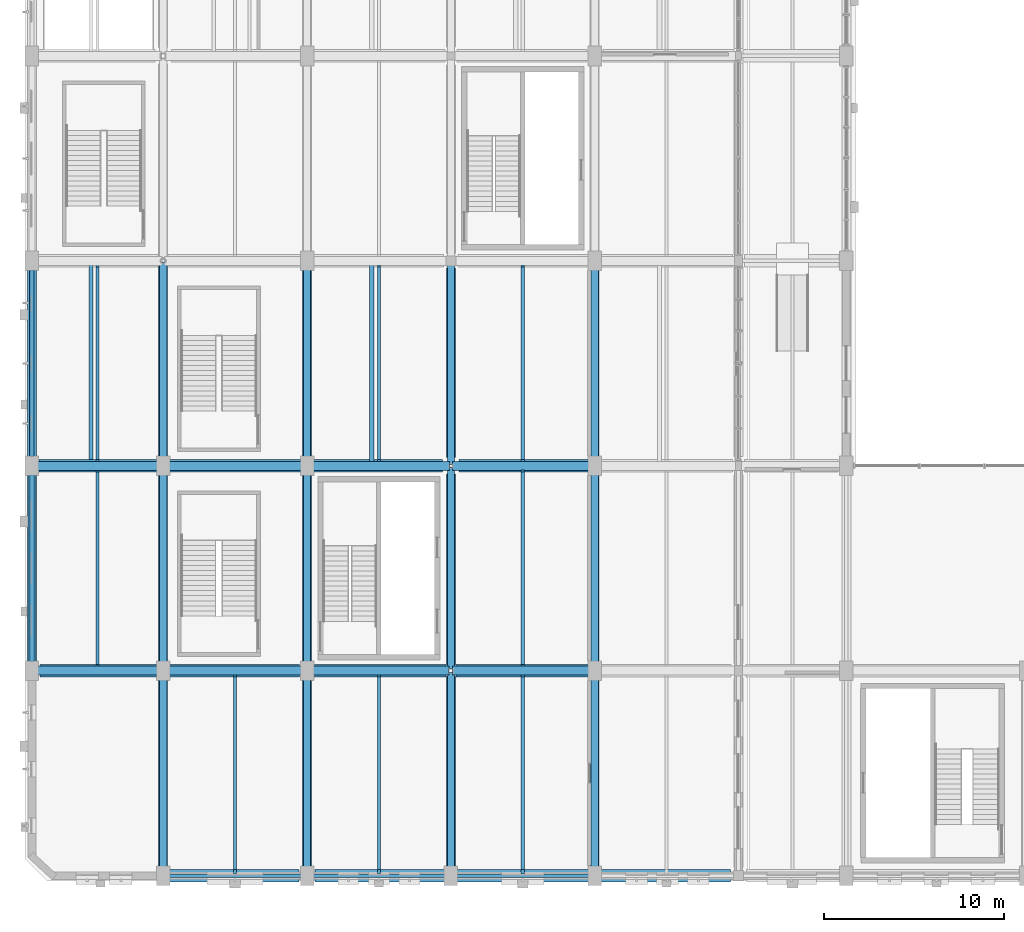
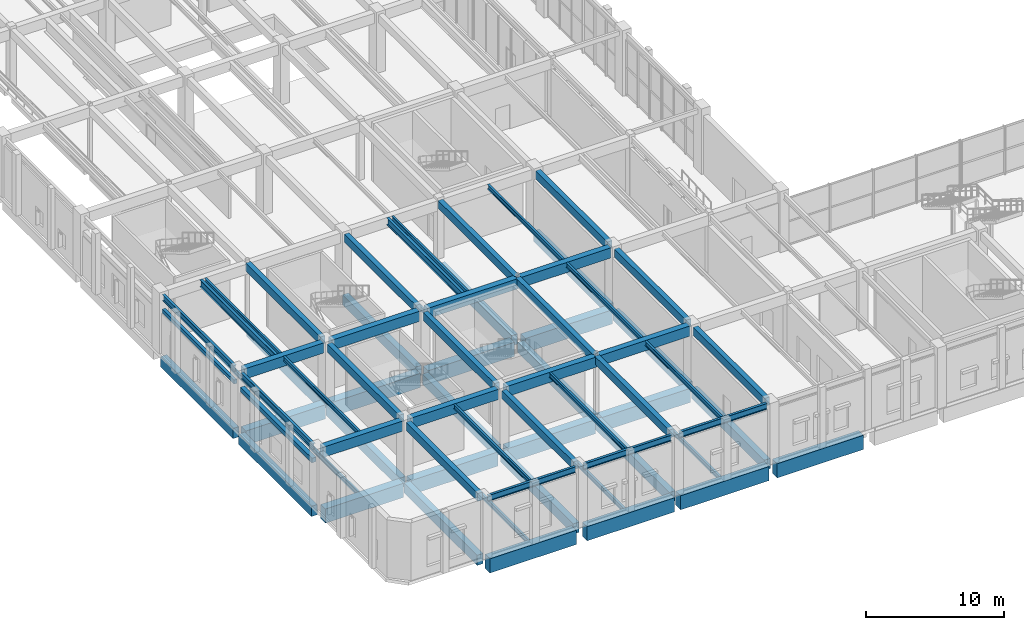
# One storey, part 23 of 113: 71 beams.
"""IFC4 building model written with IfcOpenShell, lengths in metres."""

from ifc_helpers import new_model, si_unit, direction, frame, origin, origin_2d, place, context, subcontext, project, spatial, rectangle, i_section, extrude, material, material_profile, profile_set, type_object, element, save


model = new_model("IFC4")

# Units and contexts
model_context = context("Model", 3, precision=1e-05, world=origin(), true_north=direction((0.0, 1.0)))
body_context = subcontext(model_context, "Body", "Model", "MODEL_VIEW")
ifc_project = project(units=[si_unit("LENGTHUNIT", "METRE"), si_unit("AREAUNIT", "SQUARE_METRE"), si_unit("VOLUMEUNIT", "CUBIC_METRE"), si_unit("PLANEANGLEUNIT", "RADIAN"), si_unit("MASSUNIT", "GRAM", prefix="KILO"), si_unit("POWERUNIT", "WATT"), si_unit("THERMODYNAMICTEMPERATUREUNIT", "KELVIN")], contexts=[model_context])

# Site, building, storey
site_placement = place(None, origin())
site = spatial("IfcSite", under=ifc_project, at=site_placement, CompositionType="ELEMENT")
building_placement = place(site_placement, origin())
building = spatial("IfcBuilding", under=site, at=building_placement, Name="Kelmbourne Parkland Aquatics Centre", CompositionType="ELEMENT")
storey_placement = place(building_placement, origin())
storey = spatial("IfcBuildingStorey", under=building, at=storey_placement, Name="L00", CompositionType="ELEMENT", Elevation=0.0)

# Beams
ifc_material_1 = material(Name="Concrete C40/50", Category="concrete")
ifc_material_profile_1 = material_profile(ifc_material_1, rectangle(XDim=0.5, YDim=0.89990234375, at=origin_2d()), Name="RC 500x900")
ifc_profile_set_1 = profile_set([ifc_material_profile_1], Name="Concrete C40/50")
beam_type_1 = type_object("IfcBeamType", Name="BM-G03", PredefinedType="BEAM", material=ifc_profile_set_1)
beam_1_placement = place(storey_placement, frame((0.699951171875, 12.655029296875, -0.72998046875), z_axis=(0.0, 1.0, 0.0), x_axis=(-1.0, 0.0, 0.0)))
element("IfcBeam", 1, at=beam_1_placement, inside=storey, type_object=beam_type_1, Name="Primary girder 03-04 Grid A (L00)", PredefinedType="BEAM", context=body_context, shape_type="SweptSolid", body=[
    extrude(rectangle(XDim=0.5, YDim=0.89990234375, at=origin_2d()), origin(), (0.0, 0.0, 1.0), 10.5400390625),
])
beam_2_placement = place(storey_placement, frame((0.699951171875, 24.0048828125, -0.72998046875), z_axis=(0.0, 1.0, 0.0), x_axis=(-1.0, 0.0, 0.0)))
element("IfcBeam", 2, at=beam_2_placement, inside=storey, type_object=beam_type_1, Name="Primary girder 04-05 Grid A (L00)", PredefinedType="BEAM", context=body_context, shape_type="SweptSolid", body=[
    extrude(rectangle(XDim=0.5, YDim=0.89990234375, at=origin_2d()), origin(), (0.0, 0.0, 1.0), 10.490234375),
])
beam_3_placement = place(storey_placement, frame((8.0, 1.304931640625, -0.72998046875), z_axis=(0.0, 1.0, 0.0), x_axis=(-1.0, 0.0, 0.0)))
element("IfcBeam", 3, at=beam_3_placement, inside=storey, type_object=beam_type_1, Name="Primary girder 01-03 Grid B (L00)", PredefinedType="BEAM", context=body_context, shape_type="SweptSolid", body=[
    extrude(rectangle(XDim=0.5, YDim=0.89990234375, at=origin_2d()), origin(), (0.0, 0.0, 1.0), 10.565185546875),
])
beam_4_placement = place(storey_placement, frame((8.0, 12.530029296875, -0.72998046875), z_axis=(0.0, 1.0, 0.0), x_axis=(-1.0, 0.0, 0.0)))
element("IfcBeam", 4, at=beam_4_placement, inside=storey, type_object=beam_type_1, Name="Primary girder 03-04 Grid B (L00)", PredefinedType="BEAM", context=body_context, shape_type="SweptSolid", body=[
    extrude(rectangle(XDim=0.5, YDim=0.89990234375, at=origin_2d()), origin(), (0.0, 0.0, 1.0), 10.6650390625),
])
beam_5_placement = place(storey_placement, frame((8.0, 24.0048828125, -0.72998046875), z_axis=(0.0, 1.0, 0.0), x_axis=(-1.0, 0.0, 0.0)))
element("IfcBeam", 5, at=beam_5_placement, inside=storey, type_object=beam_type_1, Name="Primary girder 04-05 Grid B (L00)", PredefinedType="BEAM", context=body_context, shape_type="SweptSolid", body=[
    extrude(rectangle(XDim=0.5, YDim=0.89990234375, at=origin_2d()), origin(), (0.0, 0.0, 1.0), 10.715087890625),
])
beam_6_placement = place(storey_placement, frame((16.0, 1.2548828125, -0.72998046875), z_axis=(0.0, 1.0, 0.0), x_axis=(-1.0, 0.0, 0.0)))
element("IfcBeam", 6, at=beam_6_placement, inside=storey, type_object=beam_type_1, Name="Primary girder 01-03 Grid C (L00)", PredefinedType="BEAM", context=body_context, shape_type="SweptSolid", body=[
    extrude(rectangle(XDim=0.5, YDim=0.89990234375, at=origin_2d()), origin(), (0.0, 0.0, 1.0), 10.5400390625),
])
beam_7_placement = place(storey_placement, frame((16.0, 12.60498046875, -0.72998046875), z_axis=(0.0, 1.0, 0.0), x_axis=(-1.0, 0.0, 0.0)))
element("IfcBeam", 7, at=beam_7_placement, inside=storey, type_object=beam_type_1, Name="Primary girder 03-04 Grid C (L00)", PredefinedType="BEAM", context=body_context, shape_type="SweptSolid", body=[
    extrude(rectangle(XDim=0.5, YDim=0.89990234375, at=origin_2d()), origin(), (0.0, 0.0, 1.0), 10.489990234375),
])
beam_8_placement = place(storey_placement, frame((16.0, 24.10498046875, -0.72998046875), z_axis=(0.0, 1.0, 0.0), x_axis=(-1.0, 0.0, 0.0)))
element("IfcBeam", 8, at=beam_8_placement, inside=storey, type_object=beam_type_1, Name="Primary girder 04-05 Grid C (L00)", PredefinedType="BEAM", context=body_context, shape_type="SweptSolid", body=[
    extrude(rectangle(XDim=0.5, YDim=0.89990234375, at=origin_2d()), origin(), (0.0, 0.0, 1.0), 10.56494140625),
])
beam_9_placement = place(storey_placement, frame((24.0, 1.205078125, -0.72998046875), z_axis=(0.0, 1.0, 0.0), x_axis=(-1.0, 0.0, 0.0)))
element("IfcBeam", 9, at=beam_9_placement, inside=storey, type_object=beam_type_1, Name="Primary girder 01-03 Grid D (L00)", PredefinedType="BEAM", context=body_context, shape_type="SweptSolid", body=[
    extrude(rectangle(XDim=0.5, YDim=0.89990234375, at=origin_2d()), origin(), (0.0, 0.0, 1.0), 10.71484375),
])
beam_10_placement = place(storey_placement, frame((24.0, 12.47998046875, -0.72998046875), z_axis=(0.0, 1.0, 0.0), x_axis=(-1.0, 0.0, 0.0)))
element("IfcBeam", 10, at=beam_10_placement, inside=storey, type_object=beam_type_1, Name="Primary girder 03-04 Grid D (L00)", PredefinedType="BEAM", context=body_context, shape_type="SweptSolid", body=[
    extrude(rectangle(XDim=0.5, YDim=0.89990234375, at=origin_2d()), origin(), (0.0, 0.0, 1.0), 10.6650390625),
])
beam_11_placement = place(storey_placement, frame((24.0, 24.054931640625, -0.72998046875), z_axis=(0.0, 1.0, 0.0), x_axis=(-1.0, 0.0, 0.0)))
element("IfcBeam", 11, at=beam_11_placement, inside=storey, type_object=beam_type_1, Name="Primary girder 04-05 Grid D (L00)", PredefinedType="BEAM", context=body_context, shape_type="SweptSolid", body=[
    extrude(rectangle(XDim=0.5, YDim=0.89990234375, at=origin_2d()), origin(), (0.0, 0.0, 1.0), 10.5400390625),
])
beam_12_placement = place(storey_placement, frame((32.0, 1.304931640625, -0.72998046875), z_axis=(0.0, 1.0, 0.0), x_axis=(-1.0, 0.0, 0.0)))
element("IfcBeam", 12, at=beam_12_placement, inside=storey, type_object=beam_type_1, Name="Primary girder 01-03 Grid E (L00)", PredefinedType="BEAM", context=body_context, shape_type="SweptSolid", body=[
    extrude(rectangle(XDim=0.5, YDim=0.89990234375, at=origin_2d()), origin(), (0.0, 0.0, 1.0), 10.565185546875),
])
beam_13_placement = place(storey_placement, frame((32.0, 12.530029296875, -0.72998046875), z_axis=(0.0, 1.0, 0.0), x_axis=(-1.0, 0.0, 0.0)))
element("IfcBeam", 13, at=beam_13_placement, inside=storey, type_object=beam_type_1, Name="Primary girder 03-04 Grid E (L00)", PredefinedType="BEAM", context=body_context, shape_type="SweptSolid", body=[
    extrude(rectangle(XDim=0.5, YDim=0.89990234375, at=origin_2d()), origin(), (0.0, 0.0, 1.0), 10.6650390625),
])
beam_14_placement = place(storey_placement, frame((32.0, 24.0048828125, -0.72998046875), z_axis=(0.0, 1.0, 0.0), x_axis=(-1.0, 0.0, 0.0)))
element("IfcBeam", 14, at=beam_14_placement, inside=storey, type_object=beam_type_1, Name="Primary girder 04-05 Grid E (L00)", PredefinedType="BEAM", context=body_context, shape_type="SweptSolid", body=[
    extrude(rectangle(XDim=0.5, YDim=0.89990234375, at=origin_2d()), origin(), (0.0, 0.0, 1.0), 10.715087890625),
])
beam_15_placement = place(storey_placement, frame((1.030029296875, 12.199951171875, 4.7099609375), z_axis=(1.0, 0.0, 0.0), x_axis=(0.0, 1.0, 0.0)))
element("IfcBeam", 15, at=beam_15_placement, inside=storey, type_object=beam_type_1, Name="Primary girder A-B Grid 03 (L01)", PredefinedType="BEAM", context=body_context, shape_type="SweptSolid", body=[
    extrude(rectangle(XDim=0.5, YDim=0.89990234375, at=origin_2d()), origin(), (0.0, 0.0, 1.0), 6.639892578125),
])
beam_16_placement = place(storey_placement, frame((8.330078125, 12.199951171875, 4.7099609375), z_axis=(1.0, 0.0, 0.0), x_axis=(0.0, 1.0, 0.0)))
element("IfcBeam", 16, at=beam_16_placement, inside=storey, type_object=beam_type_1, Name="Primary girder B-C Grid 03 (L01)", PredefinedType="BEAM", context=body_context, shape_type="SweptSolid", body=[
    extrude(rectangle(XDim=0.5, YDim=0.89990234375, at=origin_2d()), origin(), (0.0, 0.0, 1.0), 7.33984375),
])
for number, where, z_axis, x_axis, name in (
    (17, (16.330078125, 12.199951171875, 4.7099609375), (1.0, 0.0, 0.0), (0.0, 1.0, 0.0), "Primary girder C-D Grid 03 (L01)"),
    (18, (24.10498046875, 12.199951171875, 4.7099609375), (1.0, 0.0, 0.0), (0.0, 1.0, 0.0), "Primary girder D-E Grid 03 (L01)"),
):
    element("IfcBeam", number, at=place(storey_placement, frame(where, z_axis=z_axis, x_axis=x_axis)), inside=storey, type_object=beam_type_1, Name=name, PredefinedType="BEAM", context=body_context, shape_type="SweptSolid", body=[
        extrude(rectangle(XDim=0.5, YDim=0.89990234375, at=origin_2d()), origin(), (0.0, 0.0, 1.0), 7.56494140625),
    ])
beam_17_placement = place(storey_placement, frame((1.030029296875, 23.60009765625, 4.7099609375), z_axis=(1.0, 0.0, 0.0), x_axis=(0.0, 1.0, 0.0)))
element("IfcBeam", 19, at=beam_17_placement, inside=storey, type_object=beam_type_1, Name="Primary girder A-B Grid 04 (L01)", PredefinedType="BEAM", context=body_context, shape_type="SweptSolid", body=[
    extrude(rectangle(XDim=0.5, YDim=0.89990234375, at=origin_2d()), origin(), (0.0, 0.0, 1.0), 6.639892578125),
])
beam_18_placement = place(storey_placement, frame((8.330078125, 23.60009765625, 4.7099609375), z_axis=(1.0, 0.0, 0.0), x_axis=(0.0, 1.0, 0.0)))
element("IfcBeam", 20, at=beam_18_placement, inside=storey, type_object=beam_type_1, Name="Primary girder B-C Grid 04 (L01)", PredefinedType="BEAM", context=body_context, shape_type="SweptSolid", body=[
    extrude(rectangle(XDim=0.5, YDim=0.89990234375, at=origin_2d()), origin(), (0.0, 0.0, 1.0), 7.33984375),
])
for number, where, z_axis, x_axis, name in (
    (21, (16.330078125, 23.60009765625, 4.7099609375), (1.0, 0.0, 0.0), (0.0, 1.0, 0.0), "Primary girder C-D Grid 04 (L01)"),
    (22, (24.080078125, 23.60009765625, 4.7099609375), (1.0, 0.0, 0.0), (0.0, 1.0, 0.0), "Primary girder D-E Grid 04 (L01)"),
):
    element("IfcBeam", number, at=place(storey_placement, frame(where, z_axis=z_axis, x_axis=x_axis)), inside=storey, type_object=beam_type_1, Name=name, PredefinedType="BEAM", context=body_context, shape_type="SweptSolid", body=[
        extrude(rectangle(XDim=0.5, YDim=0.89990234375, at=origin_2d()), origin(), (0.0, 0.0, 1.0), 7.58984375),
    ])
ifc_material_profile_2 = material_profile(ifc_material_1, rectangle(XDim=0.39990234375, YDim=0.699951171875, at=origin_2d()), Name="RC 400x700")
ifc_profile_set_2 = profile_set([ifc_material_profile_2], Name="Concrete C40/50")
beam_type_2 = type_object("IfcBeamType", Name="BM-G05", PredefinedType="BEAM", material=ifc_profile_set_2)
beam_19_placement = place(storey_placement, frame((8.0, 1.304931640625, 4.81005859375), z_axis=(0.0, 1.0, 0.0), x_axis=(-1.0, 0.0, 0.0)))
element("IfcBeam", 23, at=beam_19_placement, inside=storey, type_object=beam_type_2, Name="Primary girder 01-03 Grid B (L01)", PredefinedType="BEAM", context=body_context, shape_type="SweptSolid", body=[
    extrude(rectangle(XDim=0.39990234375, YDim=0.699951171875, at=origin_2d()), origin(), (0.0, 0.0, 1.0), 10.39013671875),
])
beam_20_placement = place(storey_placement, frame((8.0, 12.705078125, 4.81005859375), z_axis=(0.0, 1.0, 0.0), x_axis=(-1.0, 0.0, 0.0)))
element("IfcBeam", 24, at=beam_20_placement, inside=storey, type_object=beam_type_2, Name="Primary girder 03-04 Grid B (L01)", PredefinedType="BEAM", context=body_context, shape_type="SweptSolid", body=[
    extrude(rectangle(XDim=0.39990234375, YDim=0.699951171875, at=origin_2d()), origin(), (0.0, 0.0, 1.0), 10.389892578125),
])
beam_21_placement = place(storey_placement, frame((8.0, 24.10498046875, 4.81005859375), z_axis=(0.0, 1.0, 0.0), x_axis=(-1.0, 0.0, 0.0)))
element("IfcBeam", 25, at=beam_21_placement, inside=storey, type_object=beam_type_2, Name="Primary girder 04-05 Grid B (L01)", PredefinedType="BEAM", context=body_context, shape_type="SweptSolid", body=[
    extrude(rectangle(XDim=0.39990234375, YDim=0.699951171875, at=origin_2d()), origin(), (0.0, 0.0, 1.0), 10.823486328125),
])
beam_22_placement = place(storey_placement, frame((16.0, 1.304931640625, 4.81005859375), z_axis=(0.0, 1.0, 0.0), x_axis=(-1.0, 0.0, 0.0)))
element("IfcBeam", 26, at=beam_22_placement, inside=storey, type_object=beam_type_2, Name="Primary girder 01-03 Grid C (L01)", PredefinedType="BEAM", context=body_context, shape_type="SweptSolid", body=[
    extrude(rectangle(XDim=0.39990234375, YDim=0.699951171875, at=origin_2d()), origin(), (0.0, 0.0, 1.0), 10.39013671875),
])
beam_23_placement = place(storey_placement, frame((16.0, 12.705078125, 4.81005859375), z_axis=(0.0, 1.0, 0.0), x_axis=(-1.0, 0.0, 0.0)))
element("IfcBeam", 27, at=beam_23_placement, inside=storey, type_object=beam_type_2, Name="Primary girder 03-04 Grid C (L01)", PredefinedType="BEAM", context=body_context, shape_type="SweptSolid", body=[
    extrude(rectangle(XDim=0.39990234375, YDim=0.699951171875, at=origin_2d()), origin(), (0.0, 0.0, 1.0), 10.389892578125),
])
beam_24_placement = place(storey_placement, frame((16.0, 24.10498046875, 4.81005859375), z_axis=(0.0, 1.0, 0.0), x_axis=(-1.0, 0.0, 0.0)))
element("IfcBeam", 28, at=beam_24_placement, inside=storey, type_object=beam_type_2, Name="Primary girder 04-05 Grid C (L01)", PredefinedType="BEAM", context=body_context, shape_type="SweptSolid", body=[
    extrude(rectangle(XDim=0.39990234375, YDim=0.699951171875, at=origin_2d()), origin(), (0.0, 0.0, 1.0), 10.39013671875),
])
beam_25_placement = place(storey_placement, frame((24.0, 1.304931640625, 4.81005859375), z_axis=(0.0, 1.0, 0.0), x_axis=(-1.0, 0.0, 0.0)))
element("IfcBeam", 29, at=beam_25_placement, inside=storey, type_object=beam_type_2, Name="Primary girder 01-03 Grid D (L01)", PredefinedType="BEAM", context=body_context, shape_type="SweptSolid", body=[
    extrude(rectangle(XDim=0.39990234375, YDim=0.699951171875, at=origin_2d()), origin(), (0.0, 0.0, 1.0), 10.7900390625),
])
beam_26_placement = place(storey_placement, frame((24.0, 12.304931640625, 4.81005859375), z_axis=(0.0, 1.0, 0.0), x_axis=(-1.0, 0.0, 0.0)))
element("IfcBeam", 30, at=beam_26_placement, inside=storey, type_object=beam_type_2, Name="Primary girder 03-04 Grid D (L01)", PredefinedType="BEAM", context=body_context, shape_type="SweptSolid", body=[
    extrude(rectangle(XDim=0.39990234375, YDim=0.699951171875, at=origin_2d()), origin(), (0.0, 0.0, 1.0), 11.215087890625),
])
beam_27_placement = place(storey_placement, frame((24.0, 23.679931640625, 4.81005859375), z_axis=(0.0, 1.0, 0.0), x_axis=(-1.0, 0.0, 0.0)))
element("IfcBeam", 31, at=beam_27_placement, inside=storey, type_object=beam_type_2, Name="Primary girder 04-05 Grid D (L01)", PredefinedType="BEAM", context=body_context, shape_type="SweptSolid", body=[
    extrude(rectangle(XDim=0.39990234375, YDim=0.699951171875, at=origin_2d()), origin(), (0.0, 0.0, 1.0), 11.090087890625),
])
beam_28_placement = place(storey_placement, frame((32.0, 1.304931640625, 4.81005859375), z_axis=(0.0, 1.0, 0.0), x_axis=(-1.0, 0.0, 0.0)))
element("IfcBeam", 32, at=beam_28_placement, inside=storey, type_object=beam_type_2, Name="Primary girder 01-03 Grid E (L01)", PredefinedType="BEAM", context=body_context, shape_type="SweptSolid", body=[
    extrude(rectangle(XDim=0.39990234375, YDim=0.699951171875, at=origin_2d()), origin(), (0.0, 0.0, 1.0), 10.39013671875),
])
beam_29_placement = place(storey_placement, frame((32.0, 12.705078125, 4.81005859375), z_axis=(0.0, 1.0, 0.0), x_axis=(-1.0, 0.0, 0.0)))
element("IfcBeam", 33, at=beam_29_placement, inside=storey, type_object=beam_type_2, Name="Primary girder 03-04 Grid E (L01)", PredefinedType="BEAM", context=body_context, shape_type="SweptSolid", body=[
    extrude(rectangle(XDim=0.39990234375, YDim=0.699951171875, at=origin_2d()), origin(), (0.0, 0.0, 1.0), 10.389892578125),
])
beam_30_placement = place(storey_placement, frame((32.0, 24.10498046875, 4.81005859375), z_axis=(0.0, 1.0, 0.0), x_axis=(-1.0, 0.0, 0.0)))
element("IfcBeam", 34, at=beam_30_placement, inside=storey, type_object=beam_type_2, Name="Primary girder 04-05 Grid E (L01)", PredefinedType="BEAM", context=body_context, shape_type="SweptSolid", body=[
    extrude(rectangle(XDim=0.39990234375, YDim=0.699951171875, at=origin_2d()), origin(), (0.0, 0.0, 1.0), 10.39013671875),
])
ifc_material_2 = material(Name="Concrete C50/60", Category="concrete")
ifc_material_profile_3 = material_profile(ifc_material_2, rectangle(XDim=0.699951171875, YDim=1.25, at=origin_2d()), Name="RC 700x1250")
ifc_profile_set_3 = profile_set([ifc_material_profile_3], Name="Concrete C50/60")
beam_type_3 = type_object("IfcBeamType", Name="BM-G08", PredefinedType="BEAM", material=ifc_profile_set_3)
beam_31_placement = place(storey_placement, frame((8.330078125, 0.800048828125, -0.905029296875), z_axis=(1.0, 0.0, 0.0), x_axis=(0.0, 1.0, 0.0)))
element("IfcBeam", 35, at=beam_31_placement, inside=storey, type_object=beam_type_3, Name="Primary girder B-C Grid 01 (L00)", PredefinedType="BEAM", context=body_context, shape_type="SweptSolid", body=[
    extrude(rectangle(XDim=0.699951171875, YDim=1.25, at=origin_2d()), origin(), (0.0, 0.0, 1.0), 7.21484375),
])
beam_32_placement = place(storey_placement, frame((16.455078125, 0.800048828125, -0.905029296875), z_axis=(1.0, 0.0, 0.0), x_axis=(0.0, 1.0, 0.0)))
element("IfcBeam", 36, at=beam_32_placement, inside=storey, type_object=beam_type_3, Name="Primary girder C-D Grid 01 (L00)", PredefinedType="BEAM", context=body_context, shape_type="SweptSolid", body=[
    extrude(rectangle(XDim=0.699951171875, YDim=1.25, at=origin_2d()), origin(), (0.0, 0.0, 1.0), 7.2900390625),
])
beam_33_placement = place(storey_placement, frame((24.2548828125, 0.800048828125, -0.905029296875), z_axis=(1.0, 0.0, 0.0), x_axis=(0.0, 1.0, 0.0)))
element("IfcBeam", 37, at=beam_33_placement, inside=storey, type_object=beam_type_3, Name="Primary girder D-E Grid 01 (L00)", PredefinedType="BEAM", context=body_context, shape_type="SweptSolid", body=[
    extrude(rectangle(XDim=0.699951171875, YDim=1.25, at=origin_2d()), origin(), (0.0, 0.0, 1.0), 7.4150390625),
])
beam_34_placement = place(storey_placement, frame((32.330078125, 0.800048828125, -0.905029296875), z_axis=(1.0, 0.0, 0.0), x_axis=(0.0, 1.0, 0.0)))
element("IfcBeam", 38, at=beam_34_placement, inside=storey, type_object=beam_type_3, Name="Primary girder E-F Grid 01 (L00)", PredefinedType="BEAM", context=body_context, shape_type="SweptSolid", body=[
    extrude(rectangle(XDim=0.699951171875, YDim=1.25, at=origin_2d()), origin(), (0.0, 0.0, 1.0), 7.21484375),
])
beam_35_placement = place(storey_placement, frame((1.155029296875, 12.199951171875, -0.905029296875), z_axis=(1.0, 0.0, 0.0), x_axis=(0.0, 1.0, 0.0)))
element("IfcBeam", 39, at=beam_35_placement, inside=storey, type_object=beam_type_3, Name="Primary girder A-B Grid 03 (L00)", PredefinedType="BEAM", context=body_context, shape_type="SweptSolid", body=[
    extrude(rectangle(XDim=0.699951171875, YDim=1.25, at=origin_2d()), origin(), (0.0, 0.0, 1.0), 6.514892578125),
])
beam_36_placement = place(storey_placement, frame((8.330078125, 12.199951171875, -0.905029296875), z_axis=(1.0, 0.0, 0.0), x_axis=(0.0, 1.0, 0.0)))
element("IfcBeam", 40, at=beam_36_placement, inside=storey, type_object=beam_type_3, Name="Primary girder B-C Grid 03 (L00)", PredefinedType="BEAM", context=body_context, shape_type="SweptSolid", body=[
    extrude(rectangle(XDim=0.699951171875, YDim=1.25, at=origin_2d()), origin(), (0.0, 0.0, 1.0), 7.264892578125),
])
beam_37_placement = place(storey_placement, frame((16.405029296875, 12.199951171875, -0.905029296875), z_axis=(1.0, 0.0, 0.0), x_axis=(0.0, 1.0, 0.0)))
element("IfcBeam", 41, at=beam_37_placement, inside=storey, type_object=beam_type_3, Name="Primary girder C-D Grid 03 (L00)", PredefinedType="BEAM", context=body_context, shape_type="SweptSolid", body=[
    extrude(rectangle(XDim=0.699951171875, YDim=1.25, at=origin_2d()), origin(), (0.0, 0.0, 1.0), 7.31494140625),
])
beam_38_placement = place(storey_placement, frame((24.280029296875, 12.199951171875, -0.905029296875), z_axis=(1.0, 0.0, 0.0), x_axis=(0.0, 1.0, 0.0)))
element("IfcBeam", 42, at=beam_38_placement, inside=storey, type_object=beam_type_3, Name="Primary girder D-E Grid 03 (L00)", PredefinedType="BEAM", context=body_context, shape_type="SweptSolid", body=[
    extrude(rectangle(XDim=0.699951171875, YDim=1.25, at=origin_2d()), origin(), (0.0, 0.0, 1.0), 7.389892578125),
])
beam_39_placement = place(storey_placement, frame((1.10498046875, 23.60009765625, -0.905029296875), z_axis=(1.0, 0.0, 0.0), x_axis=(0.0, 1.0, 0.0)))
element("IfcBeam", 43, at=beam_39_placement, inside=storey, type_object=beam_type_3, Name="Primary girder A-B Grid 04 (L00)", PredefinedType="BEAM", context=body_context, shape_type="SweptSolid", body=[
    extrude(rectangle(XDim=0.699951171875, YDim=1.25, at=origin_2d()), origin(), (0.0, 0.0, 1.0), 6.64013671875),
])
beam_40_placement = place(storey_placement, frame((8.2548828125, 23.60009765625, -0.905029296875), z_axis=(1.0, 0.0, 0.0), x_axis=(0.0, 1.0, 0.0)))
element("IfcBeam", 44, at=beam_40_placement, inside=storey, type_object=beam_type_3, Name="Primary girder B-C Grid 04 (L00)", PredefinedType="BEAM", context=body_context, shape_type="SweptSolid", body=[
    extrude(rectangle(XDim=0.699951171875, YDim=1.25, at=origin_2d()), origin(), (0.0, 0.0, 1.0), 7.4150390625),
])
beam_41_placement = place(storey_placement, frame((16.330078125, 23.60009765625, -0.905029296875), z_axis=(1.0, 0.0, 0.0), x_axis=(0.0, 1.0, 0.0)))
element("IfcBeam", 45, at=beam_41_placement, inside=storey, type_object=beam_type_3, Name="Primary girder C-D Grid 04 (L00)", PredefinedType="BEAM", context=body_context, shape_type="SweptSolid", body=[
    extrude(rectangle(XDim=0.699951171875, YDim=1.25, at=origin_2d()), origin(), (0.0, 0.0, 1.0), 7.21484375),
])
beam_42_placement = place(storey_placement, frame((24.455078125, 23.60009765625, -0.905029296875), z_axis=(1.0, 0.0, 0.0), x_axis=(0.0, 1.0, 0.0)))
element("IfcBeam", 46, at=beam_42_placement, inside=storey, type_object=beam_type_3, Name="Primary girder D-E Grid 04 (L00)", PredefinedType="BEAM", context=body_context, shape_type="SweptSolid", body=[
    extrude(rectangle(XDim=0.699951171875, YDim=1.25, at=origin_2d()), origin(), (0.0, 0.0, 1.0), 7.2900390625),
])
ifc_material_3 = material(Name="Structural steel AS/NZS 3679.1 Grade 300", Category="steel")
ifc_material_profile_4 = material_profile(ifc_material_3, i_section(OverallWidth=0.177978515625, OverallDepth=0.406005859375, WebThickness=0.0078125, FlangeThickness=0.0126953125, at=origin_2d()), Name="410UB59.7")
ifc_profile_set_4 = profile_set([ifc_material_profile_4], Name="Structural steel AS/NZS 3679.1 Grade 300")
beam_type_4 = type_object("IfcBeamType", Name="BM-J01", PredefinedType="JOIST", material=ifc_profile_set_4)
for number, where, z_axis, x_axis, name in (
    (47, (4.35009765625, 12.5419921875, -0.48291015625), (0.0, 1.0, 0.0), (-1.0, 0.0, 0.0), "Secondary floor joist A-B/03-04 #1 (L00)"),
    (48, (4.35009765625, 23.94189453125, -0.48291015625), (0.0, 1.0, 0.0), (-1.0, 0.0, 0.0), "Secondary floor joist A-B/04-05 #1 (L00)"),
):
    element("IfcBeam", number, at=place(storey_placement, frame(where, z_axis=z_axis, x_axis=x_axis)), inside=storey, type_object=beam_type_4, Name=name, PredefinedType="JOIST", context=body_context, shape_type="SweptSolid", body=[
        extrude(i_section(OverallWidth=0.177978515625, OverallDepth=0.406005859375, WebThickness=0.0078125, FlangeThickness=0.0126953125, at=origin_2d()), origin(), (0.0, 0.0, 1.0), 10.716064453125),
    ])
for number, where, z_axis, x_axis, name in (
    (49, (12.0, 1.14208984375, -0.48291015625), (0.0, 1.0, 0.0), (-1.0, 0.0, 0.0), "Secondary floor joist B-C/01-03 #1 (L00)"),
    (50, (20.0, 1.14208984375, -0.48291015625), (0.0, 1.0, 0.0), (-1.0, 0.0, 0.0), "Secondary floor joist C-D/01-03 #1 (L00)"),
):
    element("IfcBeam", number, at=place(storey_placement, frame(where, z_axis=z_axis, x_axis=x_axis)), inside=storey, type_object=beam_type_4, Name=name, PredefinedType="JOIST", context=body_context, shape_type="SweptSolid", body=[
        extrude(i_section(OverallWidth=0.177978515625, OverallDepth=0.406005859375, WebThickness=0.0078125, FlangeThickness=0.0126953125, at=origin_2d()), origin(), (0.0, 0.0, 1.0), 10.7158203125),
    ])
beam_43_placement = place(storey_placement, frame((20.0, 23.94189453125, -0.48291015625), z_axis=(0.0, 1.0, 0.0), x_axis=(-1.0, 0.0, 0.0)))
element("IfcBeam", 51, at=beam_43_placement, inside=storey, type_object=beam_type_4, Name="Secondary floor joist C-D/04-05 #1 (L00)", PredefinedType="JOIST", context=body_context, shape_type="SweptSolid", body=[
    extrude(i_section(OverallWidth=0.177978515625, OverallDepth=0.406005859375, WebThickness=0.0078125, FlangeThickness=0.0126953125, at=origin_2d()), origin(), (0.0, 0.0, 1.0), 10.716064453125),
])
beam_44_placement = place(storey_placement, frame((28.0, 1.14208984375, -0.48291015625), z_axis=(0.0, 1.0, 0.0), x_axis=(-1.0, 0.0, 0.0)))
element("IfcBeam", 52, at=beam_44_placement, inside=storey, type_object=beam_type_4, Name="Secondary floor joist D-E/01-03 #1 (L00)", PredefinedType="JOIST", context=body_context, shape_type="SweptSolid", body=[
    extrude(i_section(OverallWidth=0.177978515625, OverallDepth=0.406005859375, WebThickness=0.0078125, FlangeThickness=0.0126953125, at=origin_2d()), origin(), (0.0, 0.0, 1.0), 10.7158203125),
])
for number, where, z_axis, x_axis, name in (
    (53, (28.0, 12.5419921875, -0.48291015625), (0.0, 1.0, 0.0), (-1.0, 0.0, 0.0), "Secondary floor joist D-E/03-04 #1 (L00)"),
    (54, (28.0, 23.94189453125, -0.48291015625), (0.0, 1.0, 0.0), (-1.0, 0.0, 0.0), "Secondary floor joist D-E/04-05 #1 (L00)"),
):
    element("IfcBeam", number, at=place(storey_placement, frame(where, z_axis=z_axis, x_axis=x_axis)), inside=storey, type_object=beam_type_4, Name=name, PredefinedType="JOIST", context=body_context, shape_type="SweptSolid", body=[
        extrude(i_section(OverallWidth=0.177978515625, OverallDepth=0.406005859375, WebThickness=0.0078125, FlangeThickness=0.0126953125, at=origin_2d()), origin(), (0.0, 0.0, 1.0), 10.716064453125),
    ])
for number, where, z_axis, x_axis, name in (
    (55, (4.35009765625, 12.44189453125, 4.95703125), (0.0, 1.0, 0.0), (-1.0, 0.0, 0.0), "Secondary floor joist A-B/03-04 #1 (L01)"),
    (56, (4.35009765625, 23.842041015625, 4.95703125), (0.0, 1.0, 0.0), (-1.0, 0.0, 0.0), "Secondary floor joist A-B/04-05 #1 (L01)"),
):
    element("IfcBeam", number, at=place(storey_placement, frame(where, z_axis=z_axis, x_axis=x_axis)), inside=storey, type_object=beam_type_4, Name=name, PredefinedType="JOIST", context=body_context, shape_type="SweptSolid", body=[
        extrude(i_section(OverallWidth=0.177978515625, OverallDepth=0.406005859375, WebThickness=0.0078125, FlangeThickness=0.0126953125, at=origin_2d()), origin(), (0.0, 0.0, 1.0), 10.916015625),
    ])
for number, where, z_axis, x_axis, name in (
    (57, (12.0, 0.896484375, 4.95703125), (0.0, 1.0, 0.0), (-1.0, 0.0, 0.0), "Secondary floor joist B-C/01-03 #1 (L01)"),
    (58, (20.0, 0.896484375, 4.95703125), (0.0, 1.0, 0.0), (-1.0, 0.0, 0.0), "Secondary floor joist C-D/01-03 #1 (L01)"),
):
    element("IfcBeam", number, at=place(storey_placement, frame(where, z_axis=z_axis, x_axis=x_axis)), inside=storey, type_object=beam_type_4, Name=name, PredefinedType="JOIST", context=body_context, shape_type="SweptSolid", body=[
        extrude(i_section(OverallWidth=0.177978515625, OverallDepth=0.406005859375, WebThickness=0.0078125, FlangeThickness=0.0126953125, at=origin_2d()), origin(), (0.0, 0.0, 1.0), 11.0615234375),
    ])
beam_45_placement = place(storey_placement, frame((20.0, 23.842041015625, 4.95703125), z_axis=(0.0, 1.0, 0.0), x_axis=(-1.0, 0.0, 0.0)))
element("IfcBeam", 59, at=beam_45_placement, inside=storey, type_object=beam_type_4, Name="Secondary floor joist C-D/04-05 #1 (L01)", PredefinedType="JOIST", context=body_context, shape_type="SweptSolid", body=[
    extrude(i_section(OverallWidth=0.177978515625, OverallDepth=0.406005859375, WebThickness=0.0078125, FlangeThickness=0.0126953125, at=origin_2d()), origin(), (0.0, 0.0, 1.0), 10.916015625),
])
beam_46_placement = place(storey_placement, frame((28.0, 0.896484375, 4.95703125), z_axis=(0.0, 1.0, 0.0), x_axis=(-1.0, 0.0, 0.0)))
element("IfcBeam", 60, at=beam_46_placement, inside=storey, type_object=beam_type_4, Name="Secondary floor joist D-E/01-03 #1 (L01)", PredefinedType="JOIST", context=body_context, shape_type="SweptSolid", body=[
    extrude(i_section(OverallWidth=0.177978515625, OverallDepth=0.406005859375, WebThickness=0.0078125, FlangeThickness=0.0126953125, at=origin_2d()), origin(), (0.0, 0.0, 1.0), 11.0615234375),
])
for number, where, z_axis, x_axis, name in (
    (61, (28.0, 12.44189453125, 4.95703125), (0.0, 1.0, 0.0), (-1.0, 0.0, 0.0), "Secondary floor joist D-E/03-04 #1 (L01)"),
    (62, (28.0, 23.842041015625, 4.95703125), (0.0, 1.0, 0.0), (-1.0, 0.0, 0.0), "Secondary floor joist D-E/04-05 #1 (L01)"),
):
    element("IfcBeam", number, at=place(storey_placement, frame(where, z_axis=z_axis, x_axis=x_axis)), inside=storey, type_object=beam_type_4, Name=name, PredefinedType="JOIST", context=body_context, shape_type="SweptSolid", body=[
        extrude(i_section(OverallWidth=0.177978515625, OverallDepth=0.406005859375, WebThickness=0.0078125, FlangeThickness=0.0126953125, at=origin_2d()), origin(), (0.0, 0.0, 1.0), 10.916015625),
    ])
ifc_material_profile_5 = material_profile(ifc_material_3, rectangle(XDim=0.25, YDim=0.35009765625, at=origin_2d()), Name="LNT 250x350")
ifc_profile_set_5 = profile_set([ifc_material_profile_5], Name="Structural steel AS/NZS 3679.1 Grade 300")
beam_type_5 = type_object("IfcBeamType", Name="BM-LN01", PredefinedType="LINTEL", material=ifc_profile_set_5)
beam_47_placement = place(storey_placement, frame((0.699951171875, 24.10498046875, 3.699951171875), z_axis=(0.0, 1.0, 0.0), x_axis=(-1.0, 0.0, 0.0)))
element("IfcBeam", 63, at=beam_47_placement, inside=storey, type_object=beam_type_5, Name="Masonry opening lintel W-02", PredefinedType="LINTEL", context=body_context, shape_type="SweptSolid", body=[
    extrude(rectangle(XDim=0.25, YDim=0.35009765625, at=origin_2d()), origin(), (0.0, 0.0, 1.0), 10.39013671875),
])
ifc_material_profile_6 = material_profile(ifc_material_3, rectangle(XDim=0.35009765625, YDim=0.39990234375, at=origin_2d()), Name="LNT 350x400")
ifc_profile_set_6 = profile_set([ifc_material_profile_6], Name="Structural steel AS/NZS 3679.1 Grade 300")
beam_type_6 = type_object("IfcBeamType", Name="BM-LN02", PredefinedType="LINTEL", material=ifc_profile_set_6)
beam_48_placement = place(storey_placement, frame((0.699951171875, 12.705078125, 3.699951171875), z_axis=(0.0, 1.0, 0.0), x_axis=(-1.0, 0.0, 0.0)))
element("IfcBeam", 64, at=beam_48_placement, inside=storey, type_object=beam_type_6, Name="Masonry opening lintel W-01", PredefinedType="LINTEL", context=body_context, shape_type="SweptSolid", body=[
    extrude(rectangle(XDim=0.35009765625, YDim=0.39990234375, at=origin_2d()), origin(), (0.0, 0.0, 1.0), 10.389892578125),
])
ifc_material_profile_7 = material_profile(ifc_material_3, i_section(OverallWidth=0.22900390625, OverallDepth=0.612060546875, WebThickness=0.011962890625, FlangeThickness=0.01953125, at=origin_2d()), Name="610UB125")
ifc_profile_set_7 = profile_set([ifc_material_profile_7], Name="Structural steel AS/NZS 3679.1 Grade 300")
beam_type_7 = type_object("IfcBeamType", Name="BM-S01", PredefinedType="BEAM", material=ifc_profile_set_7)
beam_49_placement = place(storey_placement, frame((3.985107421875, 23.842041015625, 4.85400390625), z_axis=(0.0, 1.0, 0.0), x_axis=(-1.0, 0.0, 0.0)))
element("IfcBeam", 65, at=beam_49_placement, inside=storey, type_object=beam_type_7, Name="Deck secondary trim beam 01", PredefinedType="BEAM", context=body_context, shape_type="SweptSolid", body=[
    extrude(i_section(OverallWidth=0.22900390625, OverallDepth=0.612060546875, WebThickness=0.011962890625, FlangeThickness=0.01953125, at=origin_2d()), origin(), (0.0, 0.0, 1.0), 10.916015625),
])
ifc_material_profile_8 = material_profile(ifc_material_3, i_section(OverallWidth=0.22802734375, OverallDepth=0.60205078125, WebThickness=0.010498046875, FlangeThickness=0.014892578125, at=origin_2d()), Name="610UB101")
ifc_profile_set_8 = profile_set([ifc_material_profile_8], Name="Structural steel AS/NZS 3679.1 Grade 300")
beam_type_8 = type_object("IfcBeamType", Name="BM-S02", PredefinedType="BEAM", material=ifc_profile_set_8)
beam_50_placement = place(storey_placement, frame((19.60009765625, 23.842041015625, 4.85888671875), z_axis=(0.0, 1.0, 0.0), x_axis=(-1.0, 0.0, 0.0)))
element("IfcBeam", 66, at=beam_50_placement, inside=storey, type_object=beam_type_8, Name="Deck secondary trim beam 02", PredefinedType="BEAM", context=body_context, shape_type="SweptSolid", body=[
    extrude(i_section(OverallWidth=0.22802734375, OverallDepth=0.60205078125, WebThickness=0.010498046875, FlangeThickness=0.014892578125, at=origin_2d()), origin(), (0.0, 0.0, 1.0), 10.916015625),
])
ifc_material_profile_9 = material_profile(ifc_material_3, i_section(OverallWidth=0.208984375, OverallDepth=0.532958984375, WebThickness=0.01025390625, FlangeThickness=0.015625, at=origin_2d()), Name="530UB92.4")
ifc_profile_set_9 = profile_set([ifc_material_profile_9], Name="Structural steel AS/NZS 3679.1 Grade 300")
beam_type_9 = type_object("IfcBeamType", Name="BM-SP02", PredefinedType="SPANDREL", material=ifc_profile_set_9)
for number, where, z_axis, x_axis, name in (
    (67, (8.330078125, 0.800048828125, 4.8935546875), (1.0, 0.0, 0.0), (0.0, 1.0, 0.0), "Perimeter spandrel B-C Grid 01 (L01)"),
    (68, (16.330078125, 0.800048828125, 4.8935546875), (1.0, 0.0, 0.0), (0.0, 1.0, 0.0), "Perimeter spandrel C-D Grid 01 (L01)"),
    (69, (24.330078125, 0.800048828125, 4.8935546875), (1.0, 0.0, 0.0), (0.0, 1.0, 0.0), "Perimeter spandrel D-E Grid 01 (L01)"),
):
    element("IfcBeam", number, at=place(storey_placement, frame(where, z_axis=z_axis, x_axis=x_axis)), inside=storey, type_object=beam_type_9, Name=name, PredefinedType="SPANDREL", context=body_context, shape_type="SweptSolid", body=[
        extrude(i_section(OverallWidth=0.208984375, OverallDepth=0.532958984375, WebThickness=0.01025390625, FlangeThickness=0.015625, at=origin_2d()), origin(), (0.0, 0.0, 1.0), 7.33984375),
    ])
beam_51_placement = place(storey_placement, frame((0.699951171875, 12.705078125, 4.8935546875), z_axis=(0.0, 1.0, 0.0), x_axis=(-1.0, 0.0, 0.0)))
element("IfcBeam", 70, at=beam_51_placement, inside=storey, type_object=beam_type_9, Name="Perimeter spandrel 03-04 Grid A (L01)", PredefinedType="SPANDREL", context=body_context, shape_type="SweptSolid", body=[
    extrude(i_section(OverallWidth=0.208984375, OverallDepth=0.532958984375, WebThickness=0.01025390625, FlangeThickness=0.015625, at=origin_2d()), origin(), (0.0, 0.0, 1.0), 10.389892578125),
])
beam_52_placement = place(storey_placement, frame((0.699951171875, 24.10498046875, 4.8935546875), z_axis=(0.0, 1.0, 0.0), x_axis=(-1.0, 0.0, 0.0)))
element("IfcBeam", 71, at=beam_52_placement, inside=storey, type_object=beam_type_9, Name="Perimeter spandrel 04-05 Grid A (L01)", PredefinedType="SPANDREL", context=body_context, shape_type="SweptSolid", body=[
    extrude(i_section(OverallWidth=0.208984375, OverallDepth=0.532958984375, WebThickness=0.01025390625, FlangeThickness=0.015625, at=origin_2d()), origin(), (0.0, 0.0, 1.0), 10.39013671875),
])

save(model, "model.ifc")
